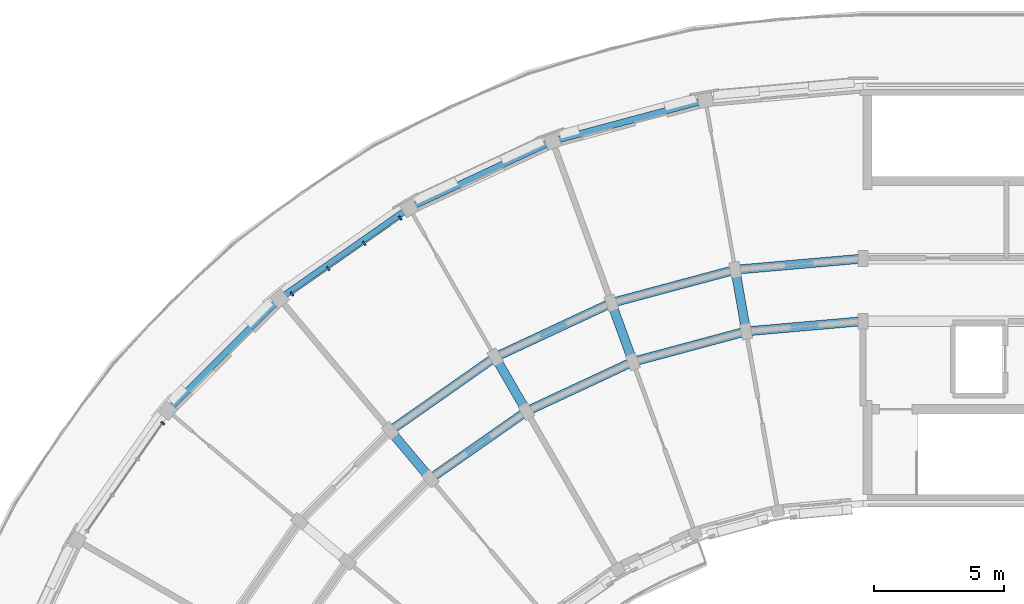
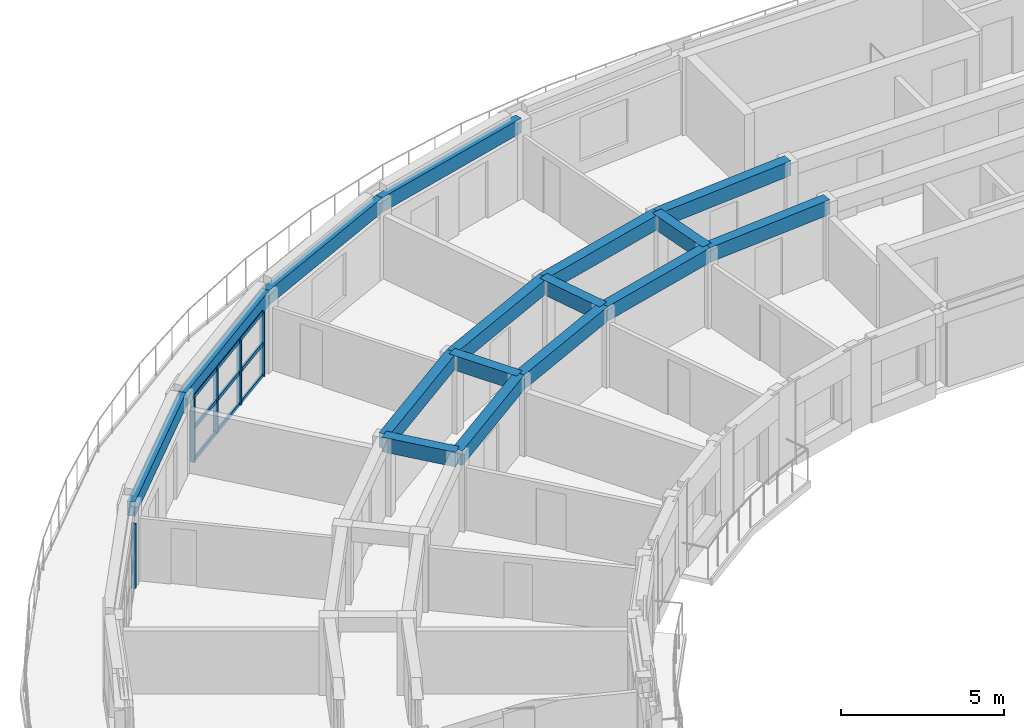
# One storey, part 4 of 14: 16 beams, 8 members, 2 elements without a shape of their own.
"""IFC4 building model written with IfcOpenShell, lengths in metres."""

from ifc_helpers import new_model, si_unit, direction, frame, origin, origin_2d, place, context, subcontext, project, spatial, rectangle, extrude, material, material_profile, profile_set, type_object, element, aggregate, save


model = new_model("IFC4")

# Units and contexts
model_context = context("Model", 3, precision=1e-05, world=origin(), true_north=direction((0.0, 1.0)))
body_context = subcontext(model_context, "Body", "Model", "MODEL_VIEW")
ifc_project = project(units=[si_unit("LENGTHUNIT", "METRE"), si_unit("AREAUNIT", "SQUARE_METRE"), si_unit("VOLUMEUNIT", "CUBIC_METRE"), si_unit("PLANEANGLEUNIT", "RADIAN"), si_unit("MASSUNIT", "GRAM", prefix="KILO")], contexts=[model_context])

# Site, building, storey
site_placement = place(None, origin())
site = spatial("IfcSite", under=ifc_project, at=site_placement, CompositionType="ELEMENT")
building_placement = place(site_placement, origin())
building = spatial("IfcBuilding", under=site, at=building_placement, Name="Kiranvali Square Residences", CompositionType="ELEMENT")
storey_placement = place(building_placement, frame((0.0, 0.0, 49.64990234375)))
storey = spatial("IfcBuildingStorey", under=building, at=storey_placement, Name="L15", CompositionType="ELEMENT", Elevation=49.64990234375)

# Beams
ifc_material_1 = material(Name="Concrete M40 (40 MPa)", Category="concrete")
ifc_material_profile_1 = material_profile(ifc_material_1, rectangle(XDim=0.35009765625, YDim=0.550048828125, at=origin_2d()), Name="RC 350x550")
ifc_profile_set_1 = profile_set([ifc_material_profile_1], Name="Concrete M40 (40 MPa)")
beam_type_1 = type_object("IfcBeamType", Name="BM-M40-350x550", PredefinedType="BEAM", material=ifc_profile_set_1)
beam_1_placement = place(storey_placement, frame((48.199951171875, 113.60009765625, 2.635009765625), z_axis=(-0.996191949488, -0.087187153726, 0.0), x_axis=(0.087187153726, -0.996191949488, 0.0)))
element("IfcBeam", 1, at=beam_1_placement, inside=storey, type_object=beam_type_1, Name="L15 beam BM-A-L15-C00-R1", PredefinedType="BEAM", context=body_context, shape_type="SweptSolid", body=[
    extrude(rectangle(XDim=0.35009765625, YDim=0.550048828125, at=origin_2d()), origin(), (0.0, 0.0, 1.0), 4.4970703125),
])
beam_2_placement = place(storey_placement, frame((48.199951171875, 116.0, 2.635009765625), z_axis=(-0.996193663584, -0.087167566415, 0.0), x_axis=(0.087167566415, -0.996193663584, 0.0)))
element("IfcBeam", 2, at=beam_2_placement, inside=storey, type_object=beam_type_1, Name="L15 beam BM-A-L15-C00-R2", PredefinedType="BEAM", context=body_context, shape_type="SweptSolid", body=[
    extrude(rectangle(XDim=0.35009765625, YDim=0.550048828125, at=origin_2d()), origin(), (0.0, 0.0, 1.0), 4.91552734375),
])
beam_3_placement = place(storey_placement, frame((43.719970703125, 113.2080078125, 2.635009765625), z_axis=(-0.965934240054, -0.258787642463, 0.0), x_axis=(0.258787642463, -0.965934240054, 0.0)))
element("IfcBeam", 3, at=beam_3_placement, inside=storey, type_object=beam_type_1, Name="L15 beam BM-A-L15-C01-R1", PredefinedType="BEAM", context=body_context, shape_type="SweptSolid", body=[
    extrude(rectangle(XDim=0.35009765625, YDim=0.550048828125, at=origin_2d()), origin(), (0.0, 0.0, 1.0), 4.497314453125),
])
beam_4_placement = place(storey_placement, frame((43.30322265625, 115.571533203125, 2.635009765625), z_axis=(-0.965930095386, -0.258803112091, 0.0), x_axis=(0.258803112091, -0.965930095386, 0.0)))
element("IfcBeam", 4, at=beam_4_placement, inside=storey, type_object=beam_type_1, Name="L15 beam BM-A-L15-C01-R2", PredefinedType="BEAM", context=body_context, shape_type="SweptSolid", body=[
    extrude(rectangle(XDim=0.35009765625, YDim=0.550048828125, at=origin_2d()), origin(), (0.0, 0.0, 1.0), 4.915771484375),
])
beam_5_placement = place(storey_placement, frame((39.3759765625, 112.044189453125, 2.635009765625), z_axis=(-0.906307919131, -0.422617978463, 0.0), x_axis=(0.422617978463, -0.906307919131, 0.0)))
element("IfcBeam", 5, at=beam_5_placement, inside=storey, type_object=beam_type_1, Name="L15 beam BM-A-L15-C02-R1", PredefinedType="BEAM", context=body_context, shape_type="SweptSolid", body=[
    extrude(rectangle(XDim=0.35009765625, YDim=0.550048828125, at=origin_2d()), origin(), (0.0, 0.0, 1.0), 4.497314453125),
])
beam_6_placement = place(storey_placement, frame((38.554931640625, 114.29931640625, 2.635009765625), z_axis=(-0.906302381024, -0.422629854778, 0.0), x_axis=(0.422629854778, -0.906302381024, 0.0)))
element("IfcBeam", 6, at=beam_6_placement, inside=storey, type_object=beam_type_1, Name="L15 beam BM-A-L15-C02-R2", PredefinedType="BEAM", context=body_context, shape_type="SweptSolid", body=[
    extrude(rectangle(XDim=0.35009765625, YDim=0.550048828125, at=origin_2d()), origin(), (0.0, 0.0, 1.0), 4.915283203125),
])
beam_7_placement = place(storey_placement, frame((35.300048828125, 110.1435546875, 2.635009765625), z_axis=(-0.819155404658, -0.573571637217, 0.0), x_axis=(0.573571637217, -0.819155404658, 0.0)))
element("IfcBeam", 7, at=beam_7_placement, inside=storey, type_object=beam_type_1, Name="L15 beam BM-A-L15-C03-R1", PredefinedType="BEAM", context=body_context, shape_type="SweptSolid", body=[
    extrude(rectangle(XDim=0.35009765625, YDim=0.550048828125, at=origin_2d()), origin(), (0.0, 0.0, 1.0), 4.497314453125),
])
beam_8_placement = place(storey_placement, frame((34.10009765625, 112.221923828125, 2.635009765625), z_axis=(-0.819140911474, -0.573592335331, 0.0), x_axis=(0.573592335331, -0.819140911474, 0.0)))
element("IfcBeam", 8, at=beam_8_placement, inside=storey, type_object=beam_type_1, Name="L15 beam BM-A-L15-C03-R2", PredefinedType="BEAM", context=body_context, shape_type="SweptSolid", body=[
    extrude(rectangle(XDim=0.35009765625, YDim=0.550048828125, at=origin_2d()), origin(), (0.0, 0.0, 1.0), 4.915771484375),
])
for number, where, z_axis, x_axis, name in (
    (9, (43.719970703125, 113.2080078125, 2.635009765625), (-0.173646056486, 0.984808127031, 0.0), (-0.984808127031, -0.173646056486, 0.0), "L15 beam BM-A-L15-RAD01-12"),
    (10, (39.3759765625, 112.044189453125, 2.635009765625), (-0.342110593602, 0.939659694648, 0.0), (-0.939659694648, -0.342110593602, 0.0), "L15 beam BM-A-L15-RAD02-12"),
    (11, (35.300048828125, 110.1435546875, 2.635009765625), (-0.500001309137, 0.866024647952, 0.0), (-0.866024647952, -0.500001309137, 0.0), "L15 beam BM-A-L15-RAD03-12"),
):
    element("IfcBeam", number, at=place(storey_placement, frame(where, z_axis=z_axis, x_axis=x_axis)), inside=storey, type_object=beam_type_1, Name=name, PredefinedType="BEAM", context=body_context, shape_type="SweptSolid", body=[
        extrude(rectangle(XDim=0.35009765625, YDim=0.550048828125, at=origin_2d()), origin(), (0.0, 0.0, 1.0), 2.39990234375),
    ])
beam_9_placement = place(storey_placement, frame((31.615966796875, 107.56396484375, 2.635009765625), z_axis=(-0.642762521781, 0.766065493671, 0.0), x_axis=(-0.766065493671, -0.642762521781, 0.0)))
element("IfcBeam", 12, at=beam_9_placement, inside=storey, type_object=beam_type_1, Name="L15 beam BM-A-L15-RAD04-12", PredefinedType="BEAM", context=body_context, shape_type="SweptSolid", body=[
    extrude(rectangle(XDim=0.35009765625, YDim=0.550048828125, at=origin_2d()), origin(), (0.0, 0.0, 1.0), 2.399658203125),
])

# Curtain wall, members
ifc_material_2 = material(Name="Anodised bronze aluminium framing", Category="aluminium")
curtain_wall_type = type_object("IfcCurtainWallType", Name="CW-RES-LOG", PredefinedType="USERDEFINED", material=ifc_material_2)
curtain_wall_1_placement = place(storey_placement, origin())
curtain_wall_1 = element("IfcCurtainWall", 13, at=curtain_wall_1_placement, inside=storey, type_object=curtain_wall_type, Name="Block A L15 stepped curved terrace loggia 4", ObjectType="CURTAIN WALL", PredefinedType="USERDEFINED")
ifc_material_profile_2 = material_profile(ifc_material_2, rectangle(XDim=0.06494140625, YDim=0.159912109375, at=origin_2d()), Name="ALU 65x160")
ifc_profile_set_2 = profile_set([ifc_material_profile_2], Name="Anodised bronze aluminium framing")
member_type_1 = type_object("IfcMemberType", Name="CW-MUL-160", PredefinedType="MULLION", material=ifc_profile_set_2)
member_1_placement = place(storey_placement, frame((30.459228515625, 117.552490234375, 0.02001953125), z_axis=(0.0, 0.0, 1.0), x_axis=(-0.819152044289, -0.573576436351, 0.0)))
member_1 = element("IfcMember", 14, at=member_1_placement, type_object=member_type_1, Name="CW-A-L15-TER-03 vertical mullion 1", PredefinedType="MULLION", context=body_context, shape_type="SweptSolid", body=[
    extrude(rectangle(XDim=0.06494140625, YDim=0.159912109375, at=origin_2d()), origin(), (0.0, 0.0, 1.0), 2.420166015625),
])
member_2_placement = place(storey_placement, frame((29.075927734375, 116.583984375, 0.02001953125), z_axis=(0.0, 0.0, 1.0), x_axis=(-0.819152044289, -0.573576436351, 0.0)))
member_2 = element("IfcMember", 15, at=member_2_placement, type_object=member_type_1, Name="CW-A-L15-TER-03 vertical mullion 2", PredefinedType="MULLION", context=body_context, shape_type="SweptSolid", body=[
    extrude(rectangle(XDim=0.06494140625, YDim=0.159912109375, at=origin_2d()), origin(), (0.0, 0.0, 1.0), 2.420166015625),
])
member_3_placement = place(storey_placement, frame((27.692626953125, 115.615478515625, 0.02001953125), z_axis=(0.0, 0.0, 1.0), x_axis=(-0.819152044289, -0.573576436351, 0.0)))
member_3 = element("IfcMember", 16, at=member_3_placement, type_object=member_type_1, Name="CW-A-L15-TER-03 vertical mullion 3", PredefinedType="MULLION", context=body_context, shape_type="SweptSolid", body=[
    extrude(rectangle(XDim=0.06494140625, YDim=0.159912109375, at=origin_2d()), origin(), (0.0, 0.0, 1.0), 2.420166015625),
])
member_4_placement = place(storey_placement, frame((26.309326171875, 114.646728515625, 0.02001953125), z_axis=(0.0, 0.0, 1.0), x_axis=(-0.819152044289, -0.573576436351, 0.0)))
member_4 = element("IfcMember", 17, at=member_4_placement, type_object=member_type_1, Name="CW-A-L15-TER-03 vertical mullion 4", PredefinedType="MULLION", context=body_context, shape_type="SweptSolid", body=[
    extrude(rectangle(XDim=0.06494140625, YDim=0.159912109375, at=origin_2d()), origin(), (0.0, 0.0, 1.0), 2.420166015625),
])

# Curtain wall, member
curtain_wall_2_placement = place(storey_placement, origin())
curtain_wall_2 = element("IfcCurtainWall", 18, at=curtain_wall_2_placement, inside=storey, type_object=curtain_wall_type, Name="Block A L15 stepped curved terrace loggia 6", ObjectType="CURTAIN WALL", PredefinedType="USERDEFINED")
member_5_placement = place(storey_placement, frame((21.353271484375, 109.690673828125, 0.02001953125), z_axis=(0.0, 0.0, 1.0), x_axis=(-0.573576436351, -0.819152044289, 0.0)))
member_5 = element("IfcMember", 19, at=member_5_placement, type_object=member_type_1, Name="CW-A-L15-TER-05 vertical mullion 1", PredefinedType="MULLION", context=body_context, shape_type="SweptSolid", body=[
    extrude(rectangle(XDim=0.06494140625, YDim=0.159912109375, at=origin_2d()), origin(), (0.0, 0.0, 1.0), 2.420166015625),
])
aggregate(curtain_wall_2, [member_5])

# Member
ifc_material_profile_3 = material_profile(ifc_material_2, rectangle(XDim=0.06494140625, YDim=0.139892578125, at=origin_2d()), Name="ALU 65x140")
ifc_profile_set_3 = profile_set([ifc_material_profile_3], Name="Anodised bronze aluminium framing")
member_type_2 = type_object("IfcMemberType", Name="CW-TRN-140", PredefinedType="MULLION", material=ifc_profile_set_3)
member_6_placement = place(storey_placement, frame((30.451171875, 117.546875, 0.0400390625), z_axis=(-0.81915690506, -0.573569494388, 0.0), x_axis=(0.573569494388, -0.81915690506, 0.0)))
member_6 = element("IfcMember", 20, at=member_6_placement, type_object=member_type_2, Name="CW-A-L15-TER-03 horizontal transom 1", PredefinedType="MULLION", context=body_context, shape_type="SweptSolid", body=[
    extrude(rectangle(XDim=0.06494140625, YDim=0.139892578125, at=origin_2d()), origin(), (0.0, 0.0, 1.0), 5.046142578125),
])

member_7_placement = place(storey_placement, frame((30.451171875, 117.546875, 1.22998046875), z_axis=(-0.81915690506, -0.573569494388, 0.0), x_axis=(0.573569494388, -0.81915690506, 0.0)))
member_7 = element("IfcMember", 21, at=member_7_placement, type_object=member_type_2, Name="CW-A-L15-TER-03 horizontal transom 2", PredefinedType="MULLION", context=body_context, shape_type="SweptSolid", body=[
    extrude(rectangle(XDim=0.06494140625, YDim=0.139892578125, at=origin_2d()), origin(), (0.0, 0.0, 1.0), 5.046142578125),
])

member_8_placement = place(storey_placement, frame((30.451171875, 117.546875, 2.420166015625), z_axis=(-0.81915690506, -0.573569494388, 0.0), x_axis=(0.573569494388, -0.81915690506, 0.0)))
member_8 = element("IfcMember", 22, at=member_8_placement, type_object=member_type_2, Name="CW-A-L15-TER-03 horizontal transom 3", PredefinedType="MULLION", context=body_context, shape_type="SweptSolid", body=[
    extrude(rectangle(XDim=0.06494140625, YDim=0.139892578125, at=origin_2d()), origin(), (0.0, 0.0, 1.0), 5.046142578125),
])

aggregate(curtain_wall_1, [member_1, member_2, member_3, member_4, member_6, member_7, member_8])

# Beams
ifc_material_profile_4 = material_profile(ifc_material_1, rectangle(XDim=0.25, YDim=0.550048828125, at=origin_2d()), Name="RC 250x550")
ifc_profile_set_4 = profile_set([ifc_material_profile_4], Name="Concrete M40 (40 MPa)")
beam_type_2 = type_object("IfcBeamType", Name="SPN-M40-250x550", PredefinedType="SPANDREL", material=ifc_profile_set_4)
beam_10_placement = place(storey_placement, frame((42.156982421875, 122.0712890625, 2.635009765625), z_axis=(-0.965923618901, -0.258827283048, 0.0), x_axis=(0.258827283048, -0.965923618901, 0.0)))
element("IfcBeam", 23, at=beam_10_placement, inside=storey, type_object=beam_type_2, Name="L15 beam BM-A-L15-C01-R3", PredefinedType="SPANDREL", context=body_context, shape_type="SweptSolid", body=[
    extrude(rectangle(XDim=0.25, YDim=0.550048828125, at=origin_2d()), origin(), (0.0, 0.0, 1.0), 6.066162109375),
])
beam_11_placement = place(storey_placement, frame((36.297607421875, 120.501220703125, 2.635009765625), z_axis=(-0.906312656069, -0.42260781991, 0.0), x_axis=(0.42260781991, -0.906312656069, 0.0)))
element("IfcBeam", 24, at=beam_11_placement, inside=storey, type_object=beam_type_2, Name="L15 beam BM-A-L15-C02-R3", PredefinedType="SPANDREL", context=body_context, shape_type="SweptSolid", body=[
    extrude(rectangle(XDim=0.25, YDim=0.550048828125, at=origin_2d()), origin(), (0.0, 0.0, 1.0), 6.06591796875),
])
beam_12_placement = place(storey_placement, frame((30.800048828125, 117.937744140625, 2.635009765625), z_axis=(-0.81913926159, -0.573594691504, 0.0), x_axis=(0.573594691504, -0.81913926159, 0.0)))
element("IfcBeam", 25, at=beam_12_placement, inside=storey, type_object=beam_type_2, Name="L15 beam BM-A-L15-C03-R3", PredefinedType="SPANDREL", context=body_context, shape_type="SweptSolid", body=[
    extrude(rectangle(XDim=0.25, YDim=0.550048828125, at=origin_2d()), origin(), (0.0, 0.0, 1.0), 6.066162109375),
])
beam_13_placement = place(storey_placement, frame((25.8310546875, 114.458251953125, 2.635009765625), z_axis=(-0.707106781187, -0.707106781187, 0.0), x_axis=(0.707106781187, -0.707106781187, 0.0)))
element("IfcBeam", 26, at=beam_13_placement, inside=storey, type_object=beam_type_2, Name="L15 beam BM-A-L15-C04-R3", PredefinedType="SPANDREL", context=body_context, shape_type="SweptSolid", body=[
    extrude(rectangle(XDim=0.25, YDim=0.550048828125, at=origin_2d()), origin(), (0.0, 0.0, 1.0), 6.06591796875),
])

save(model, "model.ifc")
